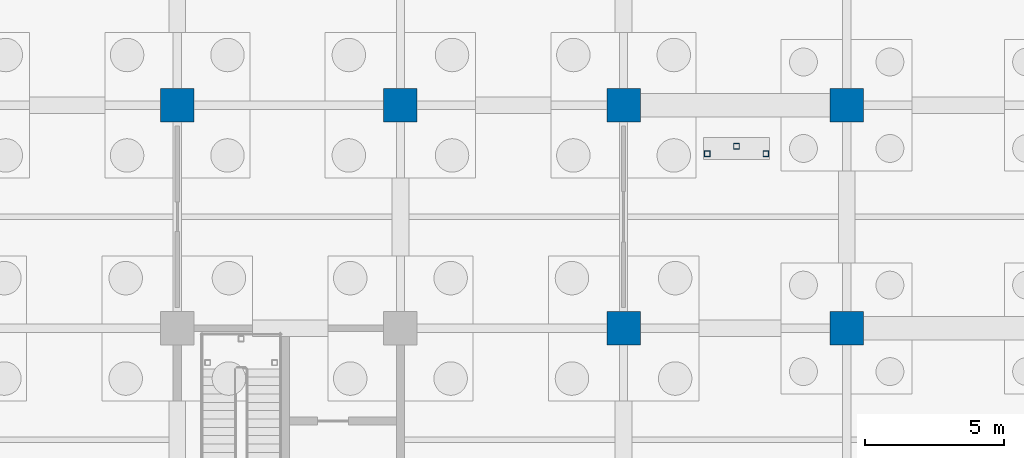
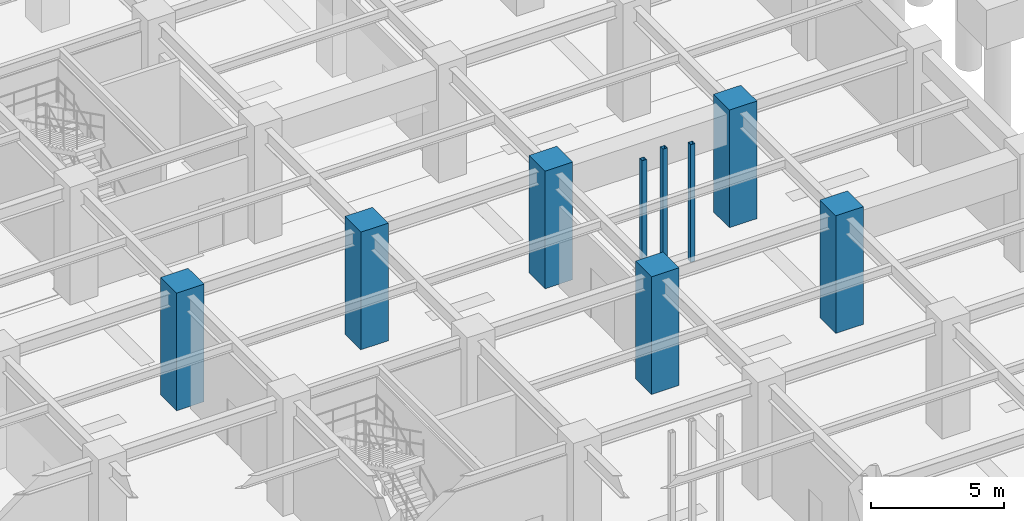
# One storey, part 35 of 97: 9 columns.
"""IFC4 building model written with IfcOpenShell, lengths in metres."""

from ifc_helpers import new_model, si_unit, direction, frame, origin, origin_2d, place, context, subcontext, project, spatial, rectangle, hollow_rectangle, extrude, material, material_profile, profile_set, type_object, element, save


model = new_model("IFC4")

# Units and contexts
model_context = context("Model", 3, precision=1e-05, world=origin(), true_north=direction((0.0, 1.0)))
body_context = subcontext(model_context, "Body", "Model", "MODEL_VIEW")
ifc_project = project(units=[si_unit("LENGTHUNIT", "METRE"), si_unit("AREAUNIT", "SQUARE_METRE"), si_unit("VOLUMEUNIT", "CUBIC_METRE"), si_unit("PLANEANGLEUNIT", "RADIAN"), si_unit("MASSUNIT", "GRAM", prefix="KILO")], contexts=[model_context])

# Site, building, storey
site_placement = place(None, origin())
site = spatial("IfcSite", under=ifc_project, at=site_placement, CompositionType="ELEMENT")
building_placement = place(site_placement, origin())
building = spatial("IfcBuilding", under=site, at=building_placement, Name="Haebicheon Civic Stadium", CompositionType="ELEMENT")
storey_placement = place(building_placement, frame((0.0, 0.0, -5.39990234375)))
storey = spatial("IfcBuildingStorey", under=building, at=storey_placement, Name="B1", CompositionType="ELEMENT", Elevation=-5.39990234375)

# Columns
ifc_material_1 = material(Name="Concrete C40/50", Category="concrete")
ifc_material_profile_1 = material_profile(ifc_material_1, rectangle(XDim=1.199951171875, YDim=1.199951171875, at=origin_2d()), Name="RC-COL-1200x1200")
ifc_profile_set_1 = profile_set([ifc_material_profile_1], Name="Concrete C40/50")
column_type_1 = type_object("IfcColumnType", Name="COL-RC-1200", PredefinedType="COLUMN", material=ifc_profile_set_1)
for number, where, z_axis, x_axis, name in (
    (1, (32.0, 120.0, 0.0), (0.0, 0.0, 1.0), (1.0, 0.0, 0.0), "B1 column 5/R"),
    (2, (40.0, 120.0, 0.0), (0.0, 0.0, 1.0), (1.0, 0.0, 0.0), "B1 column 6/R"),
    (3, (48.0, 112.0, 0.0), (0.0, 0.0, 1.0), (1.0, 0.0, 0.0), "B1 column 7/Q"),
    (4, (48.0, 120.0, 0.0), (0.0, 0.0, 1.0), (1.0, 0.0, 0.0), "B1 column 7/R"),
    (5, (56.0, 112.0, 0.0), (0.0, 0.0, 1.0), (1.0, 0.0, 0.0), "B1 column 8/Q"),
    (6, (56.0, 120.0, 0.0), (0.0, 0.0, 1.0), (1.0, 0.0, 0.0), "B1 column 8/R"),
):
    element("IfcColumn", number, at=place(storey_placement, frame(where, z_axis=z_axis, x_axis=x_axis)), inside=storey, type_object=column_type_1, material=ifc_profile_set_1, Name=name, PredefinedType="COLUMN", context=body_context, shape_type="SweptSolid", body=[
        extrude(rectangle(XDim=1.199951171875, YDim=1.199951171875, at=origin_2d()), origin(), (0.0, 0.0, 1.0), 5.39990234375),
    ])
ifc_material_2 = material(Name="Steel SM355 (S355)", Category="steel")
ifc_material_profile_2 = material_profile(ifc_material_2, hollow_rectangle(XDim=0.199951171875, YDim=0.199951171875, WallThickness=0.009033203125, at=origin_2d()), Name="RHS-200x200x9.0")
ifc_profile_set_2 = profile_set([ifc_material_profile_2], Name="Steel SM355 (S355)")
column_type_2 = type_object("IfcColumnType", Name="COL-ST-RHS200", PredefinedType="COLUMN", material=ifc_profile_set_2)
for number, where, z_axis, x_axis, name in (
    (7, (51.0, 118.260009765625, 0.0), (0.0, 0.0, 1.0), (1.0, 0.0, 0.0), "VM-03 B1 vomitory landing support post A"),
    (8, (53.10009765625, 118.260009765625, 0.0), (0.0, 0.0, 1.0), (1.0, 0.0, 0.0), "VM-03 B1 vomitory landing support post B"),
    (9, (52.050048828125, 118.530029296875, 0.0), (0.0, 0.0, 1.0), (1.0, 0.0, 0.0), "VM-03 B1 vomitory landing support post C"),
):
    element("IfcColumn", number, at=place(storey_placement, frame(where, z_axis=z_axis, x_axis=x_axis)), inside=storey, type_object=column_type_2, material=ifc_profile_set_2, Name=name, PredefinedType="COLUMN", context=body_context, shape_type="SweptSolid", body=[
        extrude(hollow_rectangle(XDim=0.199951171875, YDim=0.199951171875, WallThickness=0.009033203125, at=origin_2d()), origin(), (0.0, 0.0, 1.0), 5.39990234375),
    ])

save(model, "model.ifc")
